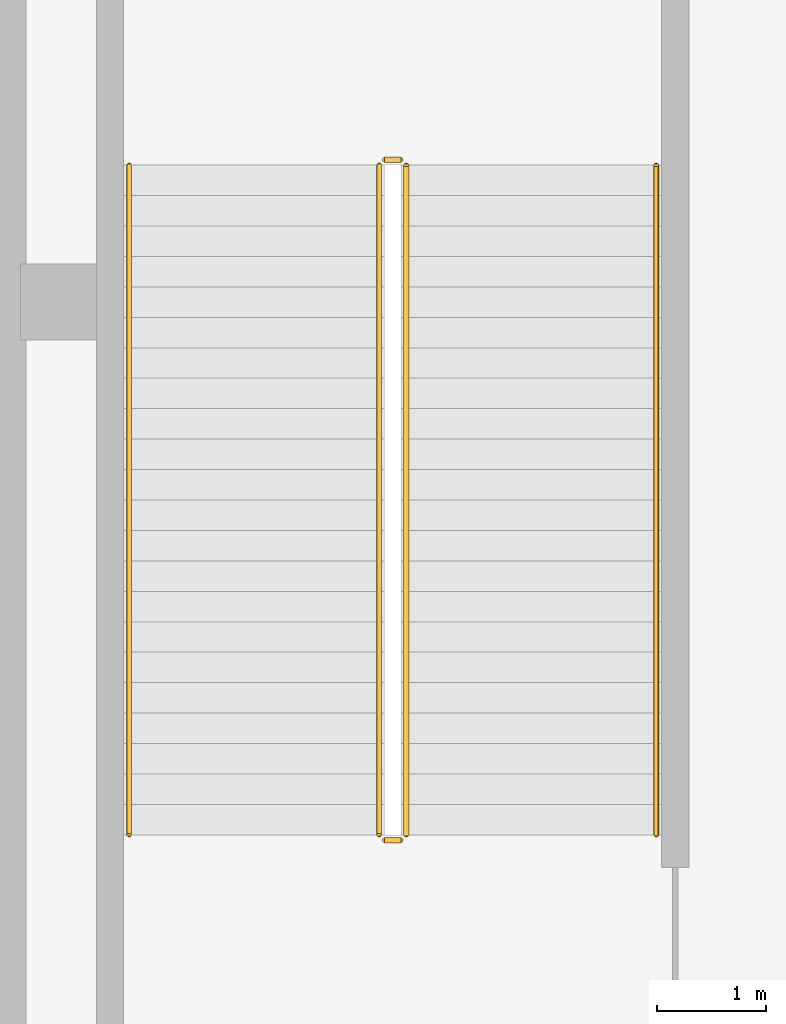
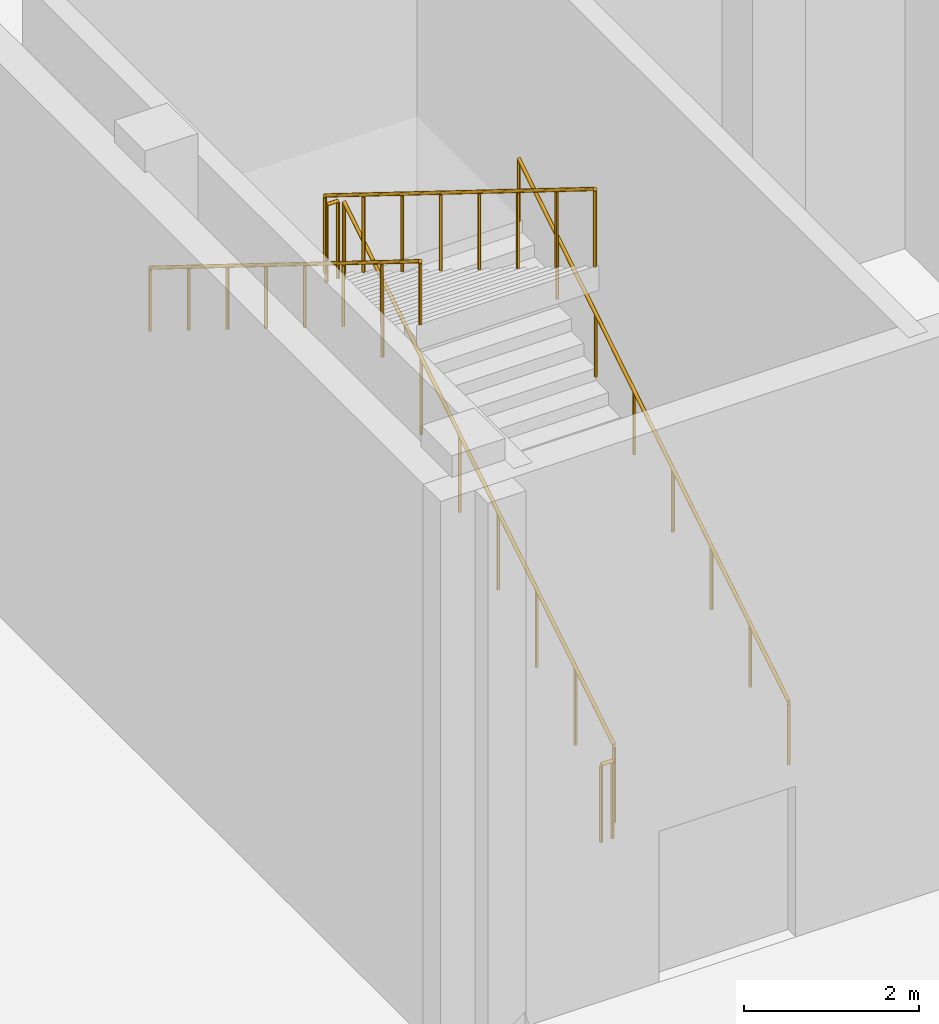
# One storey, part 52 of 57: 6 railings.
"""IFC4 building model written with IfcOpenShell, lengths in metres."""

from ifc_helpers import new_model, si_unit, direction, frame, origin, origin_2d, place, context, subcontext, project, spatial, circle, extrude, material, type_object, element, save


model = new_model("IFC4")

# Units and contexts
model_context = context("Model", 3, precision=1e-05, world=origin(), true_north=direction((0.0, 1.0)))
body_context = subcontext(model_context, "Body", "Model", "MODEL_VIEW")
ifc_project = project(units=[si_unit("LENGTHUNIT", "METRE"), si_unit("AREAUNIT", "SQUARE_METRE"), si_unit("VOLUMEUNIT", "CUBIC_METRE"), si_unit("PLANEANGLEUNIT", "RADIAN"), si_unit("MASSUNIT", "GRAM", prefix="KILO")], contexts=[model_context])

# Site, building, storey
site_placement = place(None, origin())
site = spatial("IfcSite", under=ifc_project, at=site_placement, CompositionType="ELEMENT")
building_placement = place(site_placement, origin())
building = spatial("IfcBuilding", under=site, at=building_placement, Name="Tamorin Gate", CompositionType="ELEMENT")
storey_placement = place(building_placement, origin())
storey = spatial("IfcBuildingStorey", under=building, at=storey_placement, Name="L00", CompositionType="ELEMENT", Elevation=0.0)

# Railings
ifc_material = material(Name="Steel, galvanised", Category="steel")
railing_type_1 = type_object("IfcRailingType", Name="Steel guard 1100 museum", PredefinedType="GUARDRAIL", material=ifc_material)
railing_1_placement = place(storey_placement, frame((148.89990234375, 57.800048828125, 0.173828125)))
element("IfcRailing", 1, at=railing_1_placement, inside=storey, type_object=railing_type_1, Name="L00 PS8 stair guard 1", PredefinedType="GUARDRAIL", context=body_context, shape_type="SweptSolid", body=[
    extrude(circle(Radius=0.02392578125, at=origin_2d()), frame((0.0, 0.0, 1.076171875), z_axis=(0.0, 0.849468459523, 0.527639399851), x_axis=(-1.0, 0.0, 0.0)), (0.0, 0.0, 1.0), 7.25146484375),
    extrude(circle(Radius=0.02099609375, at=origin_2d()), origin(), (0.0, 0.0, 1.0), 1.052001953125),
    extrude(circle(Radius=0.02099609375, at=origin_2d()), frame((0.0, 0.8798828125, 0.546630859375)), (0.0, 0.0, 1.0), 1.052001953125),
    extrude(circle(Radius=0.02099609375, at=origin_2d()), frame((0.0, 1.760009765625, 1.09326171875)), (0.0, 0.0, 1.0), 1.052001953125),
    extrude(circle(Radius=0.02099609375, at=origin_2d()), frame((0.0, 2.639892578125, 1.639892578125)), (0.0, 0.0, 1.0), 1.052001953125),
    extrude(circle(Radius=0.02099609375, at=origin_2d()), frame((0.0, 3.52001953125, 2.186279296875)), (0.0, 0.0, 1.0), 1.052001953125),
    extrude(circle(Radius=0.02099609375, at=origin_2d()), frame((0.0, 4.39990234375, 2.73291015625)), (0.0, 0.0, 1.0), 1.052001953125),
    extrude(circle(Radius=0.02099609375, at=origin_2d()), frame((0.0, 5.280029296875, 3.279541015625)), (0.0, 0.0, 1.0), 1.052001953125),
    extrude(circle(Radius=0.02099609375, at=origin_2d()), frame((0.0, 6.159912109375, 3.826171875)), (0.0, 0.0, 1.0), 1.052001953125),
])
railing_2_placement = place(storey_placement, frame((148.85009765625, 64.010009765625, 4.0)))
element("IfcRailing", 2, at=railing_2_placement, inside=storey, type_object=railing_type_1, Name="L00 PS8 stair guard 2", PredefinedType="GUARDRAIL", context=body_context, shape_type="SweptSolid", body=[
    extrude(circle(Radius=0.02392578125, at=origin_2d()), frame((0.0, 0.0, 1.076171875), z_axis=(-1.0, 0.0, 0.0), x_axis=(0.0, -1.0, 0.0)), (0.0, 0.0, 1.0), 0.150146484375),
    extrude(circle(Radius=0.02099609375, at=origin_2d()), origin(), (0.0, 0.0, 1.0), 1.052001953125),
    extrude(circle(Radius=0.02099609375, at=origin_2d()), frame((-0.150146484375, 0.0, 0.0)), (0.0, 0.0, 1.0), 1.052001953125),
])
railing_3_placement = place(storey_placement, frame((148.64990234375, 63.9599609375, 4.173828125)))
element("IfcRailing", 3, at=railing_3_placement, inside=storey, type_object=railing_type_1, Name="L00 PS8 stair guard 3", PredefinedType="GUARDRAIL", context=body_context, shape_type="SweptSolid", body=[
    extrude(circle(Radius=0.02392578125, at=origin_2d()), frame((0.0, 0.0, 1.076171875), z_axis=(0.0, -0.849468459523, 0.527639399851), x_axis=(1.0, 0.0, 0.0)), (0.0, 0.0, 1.0), 7.25146484375),
    extrude(circle(Radius=0.02099609375, at=origin_2d()), origin(), (0.0, 0.0, 1.0), 1.052001953125),
    extrude(circle(Radius=0.02099609375, at=origin_2d()), frame((0.0, -0.8798828125, 0.546630859375)), (0.0, 0.0, 1.0), 1.052001953125),
    extrude(circle(Radius=0.02099609375, at=origin_2d()), frame((0.0, -1.760009765625, 1.09326171875)), (0.0, 0.0, 1.0), 1.052001953125),
    extrude(circle(Radius=0.02099609375, at=origin_2d()), frame((0.0, -2.639892578125, 1.639892578125)), (0.0, 0.0, 1.0), 1.052001953125),
    extrude(circle(Radius=0.02099609375, at=origin_2d()), frame((0.0, -3.52001953125, 2.186279296875)), (0.0, 0.0, 1.0), 1.052001953125),
    extrude(circle(Radius=0.02099609375, at=origin_2d()), frame((0.0, -4.39990234375, 2.73291015625)), (0.0, 0.0, 1.0), 1.052001953125),
    extrude(circle(Radius=0.02099609375, at=origin_2d()), frame((0.0, -5.280029296875, 3.279541015625)), (0.0, 0.0, 1.0), 1.052001953125),
    extrude(circle(Radius=0.02099609375, at=origin_2d()), frame((0.0, -6.159912109375, 3.826171875)), (0.0, 0.0, 1.0), 1.052001953125),
])
railing_4_placement = place(storey_placement, frame((148.85009765625, 57.75, 0.0)))
element("IfcRailing", 4, at=railing_4_placement, inside=storey, type_object=railing_type_1, Name="L00 PS8 stair guard 4", PredefinedType="GUARDRAIL", context=body_context, shape_type="SweptSolid", body=[
    extrude(circle(Radius=0.02392578125, at=origin_2d()), frame((0.0, 0.0, 1.076171875), z_axis=(-1.0, 0.0, 0.0), x_axis=(0.0, -1.0, 0.0)), (0.0, 0.0, 1.0), 0.150146484375),
    extrude(circle(Radius=0.02099609375, at=origin_2d()), origin(), (0.0, 0.0, 1.0), 1.052001953125),
    extrude(circle(Radius=0.02099609375, at=origin_2d()), frame((-0.150146484375, 0.0, 0.0)), (0.0, 0.0, 1.0), 1.052001953125),
])
railing_type_2 = type_object("IfcRailingType", Name="Steel handrail 900 museum", PredefinedType="HANDRAIL", material=ifc_material)
railing_5_placement = place(storey_placement, frame((151.199951171875, 57.800048828125, 0.173828125)))
element("IfcRailing", 5, at=railing_5_placement, inside=storey, type_object=railing_type_2, Name="L00 PS8 stair handrail 1", PredefinedType="HANDRAIL", context=body_context, shape_type="SweptSolid", body=[
    extrude(circle(Radius=0.02392578125, at=origin_2d()), frame((0.0, 0.0, 0.8759765625), z_axis=(0.0, 0.849468459523, 0.527639399851), x_axis=(-1.0, 0.0, 0.0)), (0.0, 0.0, 1.0), 7.25146484375),
    extrude(circle(Radius=0.02099609375, at=origin_2d()), origin(), (0.0, 0.0, 1.0), 0.851806640625),
    extrude(circle(Radius=0.02099609375, at=origin_2d()), frame((0.0, 0.8798828125, 0.546630859375)), (0.0, 0.0, 1.0), 0.851806640625),
    extrude(circle(Radius=0.02099609375, at=origin_2d()), frame((0.0, 1.760009765625, 1.09326171875)), (0.0, 0.0, 1.0), 0.851806640625),
    extrude(circle(Radius=0.02099609375, at=origin_2d()), frame((0.0, 2.639892578125, 1.639892578125)), (0.0, 0.0, 1.0), 0.851806640625),
    extrude(circle(Radius=0.02099609375, at=origin_2d()), frame((0.0, 3.52001953125, 2.186279296875)), (0.0, 0.0, 1.0), 0.851806640625),
    extrude(circle(Radius=0.02099609375, at=origin_2d()), frame((0.0, 4.39990234375, 2.73291015625)), (0.0, 0.0, 1.0), 0.851806640625),
    extrude(circle(Radius=0.02099609375, at=origin_2d()), frame((0.0, 5.280029296875, 3.279541015625)), (0.0, 0.0, 1.0), 0.851806640625),
    extrude(circle(Radius=0.02099609375, at=origin_2d()), frame((0.0, 6.159912109375, 3.826171875)), (0.0, 0.0, 1.0), 0.851806640625),
])
railing_6_placement = place(storey_placement, frame((146.35009765625, 63.9599609375, 4.173828125)))
element("IfcRailing", 6, at=railing_6_placement, inside=storey, type_object=railing_type_2, Name="L00 PS8 stair handrail 2", PredefinedType="HANDRAIL", context=body_context, shape_type="SweptSolid", body=[
    extrude(circle(Radius=0.02392578125, at=origin_2d()), frame((0.0, 0.0, 0.8759765625), z_axis=(0.0, -0.849468459523, 0.527639399851), x_axis=(1.0, 0.0, 0.0)), (0.0, 0.0, 1.0), 7.25146484375),
    extrude(circle(Radius=0.02099609375, at=origin_2d()), origin(), (0.0, 0.0, 1.0), 0.851806640625),
    extrude(circle(Radius=0.02099609375, at=origin_2d()), frame((0.0, -0.8798828125, 0.546630859375)), (0.0, 0.0, 1.0), 0.851806640625),
    extrude(circle(Radius=0.02099609375, at=origin_2d()), frame((0.0, -1.760009765625, 1.09326171875)), (0.0, 0.0, 1.0), 0.851806640625),
    extrude(circle(Radius=0.02099609375, at=origin_2d()), frame((0.0, -2.639892578125, 1.639892578125)), (0.0, 0.0, 1.0), 0.851806640625),
    extrude(circle(Radius=0.02099609375, at=origin_2d()), frame((0.0, -3.52001953125, 2.186279296875)), (0.0, 0.0, 1.0), 0.851806640625),
    extrude(circle(Radius=0.02099609375, at=origin_2d()), frame((0.0, -4.39990234375, 2.73291015625)), (0.0, 0.0, 1.0), 0.851806640625),
    extrude(circle(Radius=0.02099609375, at=origin_2d()), frame((0.0, -5.280029296875, 3.279541015625)), (0.0, 0.0, 1.0), 0.851806640625),
    extrude(circle(Radius=0.02099609375, at=origin_2d()), frame((0.0, -6.159912109375, 3.826171875)), (0.0, 0.0, 1.0), 0.851806640625),
])

save(model, "model.ifc")
